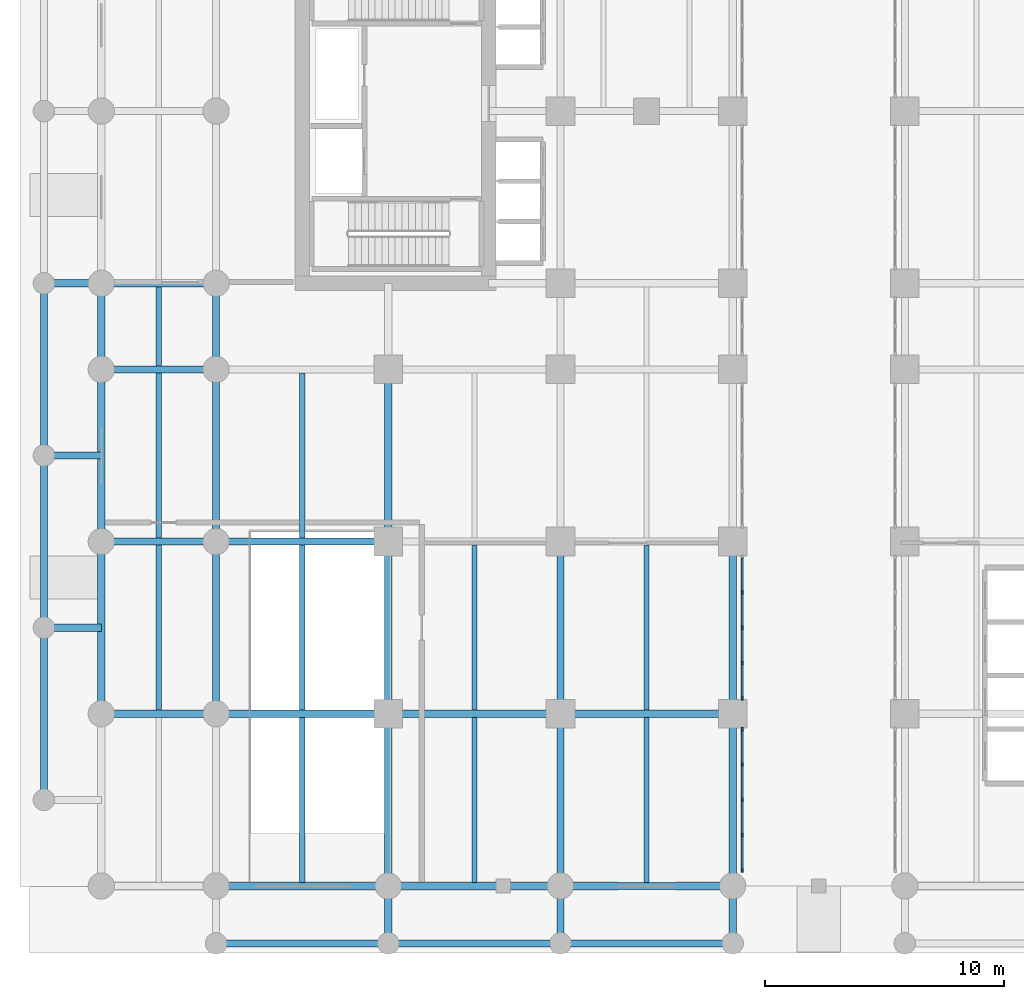
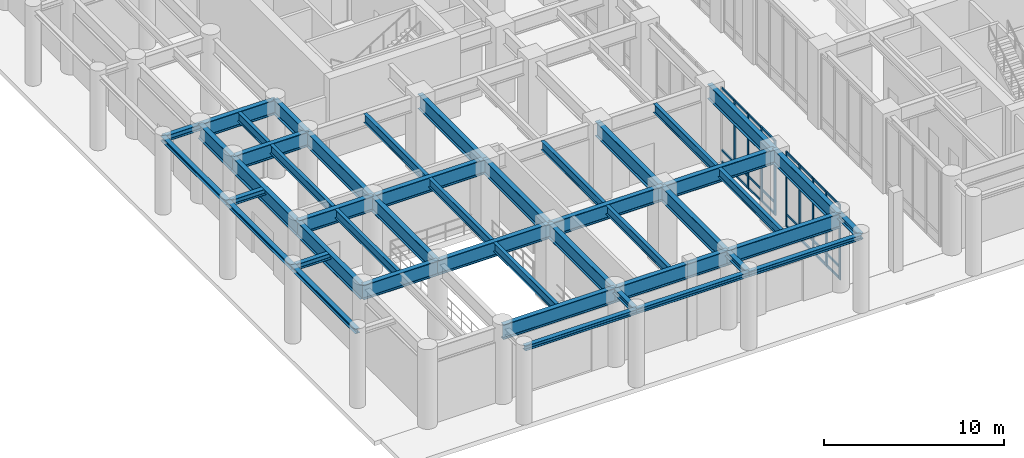
# One storey, part 2 of 23: 46 beams, 33 members, 2 elements without a shape of their own.
"""IFC4 building model written with IfcOpenShell, lengths in metres."""

from ifc_helpers import new_model, si_unit, derived_unit, direction, frame, origin, origin_2d, place, context, subcontext, project, spatial, rectangle, i_section, extrude, source, transform, mapped, material, layer, layer_set, material_profile, profile_set, type_object, type_shapes, element, aggregate, save


model = new_model("IFC4")

# Units and contexts
model_context = context("Model", 3, precision=1e-05, world=origin(), true_north=direction((0.0, 1.0)))
body_context = subcontext(model_context, "Body", "Model", "MODEL_VIEW")
ifc_project = project(units=[si_unit("LENGTHUNIT", "METRE"), si_unit("AREAUNIT", "SQUARE_METRE"), si_unit("VOLUMEUNIT", "CUBIC_METRE"), si_unit("PLANEANGLEUNIT", "RADIAN"), si_unit("MASSUNIT", "GRAM", prefix="KILO"), si_unit("THERMODYNAMICTEMPERATUREUNIT", "KELVIN"), si_unit("POWERUNIT", "WATT"), derived_unit("THERMALTRANSMITTANCEUNIT", [(si_unit("POWERUNIT", "WATT"), 1), (si_unit("AREAUNIT", "SQUARE_METRE"), -1), (si_unit("THERMODYNAMICTEMPERATUREUNIT", "KELVIN"), -1)])], contexts=[model_context])

# Site, building, storey
site_placement = place(None, origin())
site = spatial("IfcSite", under=ifc_project, at=site_placement, CompositionType="ELEMENT")
building_placement = place(site_placement, origin())
building = spatial("IfcBuilding", under=site, at=building_placement, Name="Zahravan Archway Hotel and Residences", CompositionType="ELEMENT")
storey_placement = place(building_placement, origin())
storey = spatial("IfcBuildingStorey", under=building, at=storey_placement, Name="L00", CompositionType="ELEMENT", Elevation=0.0)

# Beams
ifc_material_1 = material(Name="Structural Steel S355J2", Category="steel")
ifc_material_profile_1 = material_profile(ifc_material_1, i_section(OverallWidth=0.300048828125, OverallDepth=1.0, WebThickness=0.01904296875, FlangeThickness=0.035888671875, FilletRadius=0.030029296875, at=origin_2d()), Name="HEB 1000", Category="steel")
ifc_profile_set_1 = profile_set([ifc_material_profile_1], Name="Structural Steel S355J2")
beam_type_1 = type_object("IfcBeamType", Name="BM-PRI-HEB1000", PredefinedType="BEAM", material=ifc_profile_set_1)
shared_shape_1 = source(origin(), body_context, "Body", "SweptSolid", [
    extrude(i_section(OverallWidth=0.300048828125, OverallDepth=1.0, WebThickness=0.01904296875, FlangeThickness=0.035888671875, FilletRadius=0.030029296875, at=origin_2d()), origin(), (0.0, 0.0, 1.0), 4.800048828125),
])
type_shapes(beam_type_1, [shared_shape_1])
for number, where, z_axis, x_axis, name in (
    (1, (-4.800048828125, 7.199951171875, 4.60009765625), (1.0, 0.0, 0.0), (0.0, 1.0, 0.0), "L00 Primary Girder EW-11"),
    (2, (-4.800048828125, 14.39990234375, 4.60009765625), (1.0, 0.0, 0.0), (0.0, 1.0, 0.0), "L00 Primary Girder EW-19"),
    (3, (-4.800048828125, 21.60009765625, 4.60009765625), (1.0, 0.0, 0.0), (0.0, 1.0, 0.0), "L00 Primary Girder EW-27"),
    (4, (-4.800048828125, 25.199951171875, 4.60009765625), (1.0, 0.0, 0.0), (0.0, 1.0, 0.0), "L00 Primary Girder EW-37"),
):
    element("IfcBeam", number, at=place(storey_placement, frame(where, z_axis=z_axis, x_axis=x_axis)), inside=storey, type_object=beam_type_1, Name=name, PredefinedType="BEAM", context=body_context, shape_type="MappedRepresentation", body=[
        mapped(shared_shape_1, transform((0.0, 0.0, 0.0), scale=1.0)),
    ])
shared_shape_2 = source(origin(), body_context, "Body", "SweptSolid", [
    extrude(i_section(OverallWidth=0.300048828125, OverallDepth=1.0, WebThickness=0.01904296875, FlangeThickness=0.035888671875, FilletRadius=0.030029296875, at=origin_2d()), origin(), (0.0, 0.0, 1.0), 7.199951171875),
])
for number, where, z_axis, x_axis, name in (
    (5, (0.0, 0.0, 4.60009765625), (1.0, 0.0, 0.0), (0.0, 1.0, 0.0), "L00 Primary Girder EW-02"),
    (6, (7.199951171875, 0.0, 4.60009765625), (1.0, 0.0, 0.0), (0.0, 1.0, 0.0), "L00 Primary Girder EW-03"),
    (7, (0.0, 7.199951171875, 4.60009765625), (1.0, 0.0, 0.0), (0.0, 1.0, 0.0), "L00 Primary Girder EW-12"),
    (8, (7.199951171875, 7.199951171875, 4.60009765625), (1.0, 0.0, 0.0), (0.0, 1.0, 0.0), "L00 Primary Girder EW-13"),
    (9, (0.0, 14.39990234375, 4.60009765625), (1.0, 0.0, 0.0), (0.0, 1.0, 0.0), "L00 Primary Girder EW-20"),
    (10, (-4.800048828125, 7.199951171875, 4.60009765625), (0.0, 1.0, 0.0), (-1.0, 0.0, 0.0), "L00 Primary Girder NS-63"),
    (11, (0.0, 7.199951171875, 4.60009765625), (0.0, 1.0, 0.0), (-1.0, 0.0, 0.0), "L00 Primary Girder NS-70"),
    (12, (7.199951171875, 0.0, 4.60009765625), (0.0, 1.0, 0.0), (-1.0, 0.0, 0.0), "L00 Primary Girder NS-76"),
    (13, (7.199951171875, 7.199951171875, 4.60009765625), (0.0, 1.0, 0.0), (-1.0, 0.0, 0.0), "L00 Primary Girder NS-77"),
    (14, (14.39990234375, 0.0, 4.60009765625), (0.0, 1.0, 0.0), (-1.0, 0.0, 0.0), "L00 Primary Girder NS-81"),
    (15, (14.39990234375, 7.199951171875, 4.60009765625), (0.0, 1.0, 0.0), (-1.0, 0.0, 0.0), "L00 Primary Girder NS-82"),
    (16, (21.60009765625, 0.0, 4.60009765625), (0.0, 1.0, 0.0), (-1.0, 0.0, 0.0), "L00 Primary Girder NS-88"),
    (17, (21.60009765625, 7.199951171875, 4.60009765625), (0.0, 1.0, 0.0), (-1.0, 0.0, 0.0), "L00 Primary Girder NS-89"),
):
    element("IfcBeam", number, at=place(storey_placement, frame(where, z_axis=z_axis, x_axis=x_axis)), inside=storey, type_object=beam_type_1, Name=name, PredefinedType="BEAM", context=body_context, shape_type="MappedRepresentation", body=[
        mapped(shared_shape_2, transform((0.0, 0.0, 0.0), scale=1.0)),
    ])
shared_shape_3 = source(origin(), body_context, "Body", "SweptSolid", [
    extrude(i_section(OverallWidth=0.300048828125, OverallDepth=1.0, WebThickness=0.01904296875, FlangeThickness=0.035888671875, FilletRadius=0.030029296875, at=origin_2d()), origin(), (0.0, 0.0, 1.0), 7.2001953125),
])
for number, where, z_axis, x_axis, name in (
    (18, (14.39990234375, 0.0, 4.60009765625), (1.0, 0.0, 0.0), (0.0, 1.0, 0.0), "L00 Primary Girder EW-04"),
    (19, (14.39990234375, 7.199951171875, 4.60009765625), (1.0, 0.0, 0.0), (0.0, 1.0, 0.0), "L00 Primary Girder EW-14"),
    (20, (-4.800048828125, 14.39990234375, 4.60009765625), (0.0, 1.0, 0.0), (-1.0, 0.0, 0.0), "L00 Primary Girder NS-64"),
    (21, (0.0, 14.39990234375, 4.60009765625), (0.0, 1.0, 0.0), (-1.0, 0.0, 0.0), "L00 Primary Girder NS-71"),
    (22, (7.199951171875, 14.39990234375, 4.60009765625), (0.0, 1.0, 0.0), (-1.0, 0.0, 0.0), "L00 Primary Girder NS-78"),
):
    element("IfcBeam", number, at=place(storey_placement, frame(where, z_axis=z_axis, x_axis=x_axis)), inside=storey, type_object=beam_type_1, Name=name, PredefinedType="BEAM", context=body_context, shape_type="MappedRepresentation", body=[
        mapped(shared_shape_3, transform((0.0, 0.0, 0.0), scale=1.0)),
    ])
shared_shape_4 = source(origin(), body_context, "Body", "SweptSolid", [
    extrude(i_section(OverallWidth=0.300048828125, OverallDepth=1.0, WebThickness=0.01904296875, FlangeThickness=0.035888671875, FilletRadius=0.030029296875, at=origin_2d()), origin(), (0.0, 0.0, 1.0), 3.599853515625),
])
for number, where, z_axis, x_axis, name in (
    (23, (-4.800048828125, 21.60009765625, 4.60009765625), (0.0, 1.0, 0.0), (-1.0, 0.0, 0.0), "L00 Primary Girder NS-65"),
    (24, (0.0, 21.60009765625, 4.60009765625), (0.0, 1.0, 0.0), (-1.0, 0.0, 0.0), "L00 Primary Girder NS-72"),
):
    element("IfcBeam", number, at=place(storey_placement, frame(where, z_axis=z_axis, x_axis=x_axis)), inside=storey, type_object=beam_type_1, Name=name, PredefinedType="BEAM", context=body_context, shape_type="MappedRepresentation", body=[
        mapped(shared_shape_4, transform((0.0, 0.0, 0.0), scale=1.0)),
    ])
ifc_material_2 = material(Name="Structural Steel S355JR", Category="steel")
ifc_material_profile_2 = material_profile(ifc_material_2, i_section(OverallWidth=0.219970703125, OverallDepth=0.60009765625, WebThickness=0.011962890625, FlangeThickness=0.01904296875, FilletRadius=0.02392578125, at=origin_2d()), Name="IPE 600", Category="steel")
ifc_profile_set_2 = profile_set([ifc_material_profile_2], Name="Structural Steel S355JR")
beam_type_2 = type_object("IfcBeamType", Name="BM-JST-IPE600", PredefinedType="JOIST", material=ifc_profile_set_2)
shared_shape_5 = source(origin(), body_context, "Body", "SweptSolid", [
    extrude(i_section(OverallWidth=0.219970703125, OverallDepth=0.60009765625, WebThickness=0.011962890625, FlangeThickness=0.01904296875, FilletRadius=0.02392578125, at=origin_2d()), origin(), (0.0, 0.0, 1.0), 6.904052734375),
])
type_shapes(beam_type_2, [shared_shape_5])
for number, where, z_axis, x_axis, name in (
    (25, (3.60009765625, 0.14794921875, 4.800048828125), (0.0, 1.0, 0.0), (-1.0, 0.0, 0.0), "L00 Composite Floor Joist 02"),
    (26, (10.800048828125, 0.14794921875, 4.800048828125), (0.0, 1.0, 0.0), (-1.0, 0.0, 0.0), "L00 Composite Floor Joist 03"),
    (27, (18.0, 0.14794921875, 4.800048828125), (0.0, 1.0, 0.0), (-1.0, 0.0, 0.0), "L00 Composite Floor Joist 04"),
    (28, (-2.39990234375, 7.347900390625, 4.800048828125), (0.0, 1.0, 0.0), (-1.0, 0.0, 0.0), "L00 Composite Floor Joist 09"),
    (29, (3.60009765625, 7.347900390625, 4.800048828125), (0.0, 1.0, 0.0), (-1.0, 0.0, 0.0), "L00 Composite Floor Joist 10"),
    (30, (10.800048828125, 7.347900390625, 4.800048828125), (0.0, 1.0, 0.0), (-1.0, 0.0, 0.0), "L00 Composite Floor Joist 11"),
    (31, (18.0, 7.347900390625, 4.800048828125), (0.0, 1.0, 0.0), (-1.0, 0.0, 0.0), "L00 Composite Floor Joist 12"),
):
    element("IfcBeam", number, at=place(storey_placement, frame(where, z_axis=z_axis, x_axis=x_axis)), inside=storey, type_object=beam_type_2, Name=name, PredefinedType="JOIST", context=body_context, shape_type="MappedRepresentation", body=[
        mapped(shared_shape_5, transform((0.0, 0.0, 0.0), scale=1.0)),
    ])
shared_shape_6 = source(origin(), body_context, "Body", "SweptSolid", [
    extrude(i_section(OverallWidth=0.219970703125, OverallDepth=0.60009765625, WebThickness=0.011962890625, FlangeThickness=0.01904296875, FilletRadius=0.02392578125, at=origin_2d()), origin(), (0.0, 0.0, 1.0), 6.90380859375),
])
for number, where, z_axis, x_axis, name in (
    (32, (-2.39990234375, 14.548095703125, 4.800048828125), (0.0, 1.0, 0.0), (-1.0, 0.0, 0.0), "L00 Composite Floor Joist 17"),
    (33, (3.60009765625, 14.548095703125, 4.800048828125), (0.0, 1.0, 0.0), (-1.0, 0.0, 0.0), "L00 Composite Floor Joist 18"),
):
    element("IfcBeam", number, at=place(storey_placement, frame(where, z_axis=z_axis, x_axis=x_axis)), inside=storey, type_object=beam_type_2, Name=name, PredefinedType="JOIST", context=body_context, shape_type="MappedRepresentation", body=[
        mapped(shared_shape_6, transform((0.0, 0.0, 0.0), scale=1.0)),
    ])
shared_shape_7 = source(origin(), body_context, "Body", "SweptSolid", [
    extrude(i_section(OverallWidth=0.219970703125, OverallDepth=0.60009765625, WebThickness=0.011962890625, FlangeThickness=0.01904296875, FilletRadius=0.02392578125, at=origin_2d()), origin(), (0.0, 0.0, 1.0), 3.303955078125),
])
beam_1_placement = place(storey_placement, frame((-2.39990234375, 21.748046875, 4.800048828125), z_axis=(0.0, 1.0, 0.0), x_axis=(-1.0, 0.0, 0.0)))
element("IfcBeam", 34, at=beam_1_placement, inside=storey, type_object=beam_type_2, Name="L00 Composite Floor Joist 25", PredefinedType="JOIST", context=body_context, shape_type="MappedRepresentation", body=[
    mapped(shared_shape_7, transform((0.0, 0.0, 0.0), scale=1.0)),
])
ifc_material_profile_3 = material_profile(ifc_material_2, i_section(OverallWidth=0.300048828125, OverallDepth=0.39990234375, WebThickness=0.013427734375, FlangeThickness=0.02392578125, FilletRadius=0.027099609375, at=origin_2d()), Name="HEB 400", Category="steel")
ifc_profile_set_3 = profile_set([ifc_material_profile_3], Name="Structural Steel S355JR")
beam_type_3 = type_object("IfcBeamType", Name="BM-PRI-HEB400", PredefinedType="BEAM", material=ifc_profile_set_3)
shared_shape_8 = source(origin(), body_context, "Body", "SweptSolid", [
    extrude(i_section(OverallWidth=0.300048828125, OverallDepth=0.39990234375, WebThickness=0.013427734375, FlangeThickness=0.02392578125, FilletRadius=0.027099609375, at=origin_2d()), origin(), (0.0, 0.0, 1.0), 2.39990234375),
])
for number, where, z_axis, x_axis, name in (
    (35, (-7.199951171875, 10.800048828125, 4.89990234375), (1.0, 0.0, 0.0), (0.0, 1.0, 0.0), "L00 West Colonnade Tie Girder 2"),
    (36, (-7.199951171875, 18.0, 4.89990234375), (1.0, 0.0, 0.0), (0.0, 1.0, 0.0), "L00 West Colonnade Tie Girder 3"),
    (37, (-7.199951171875, 25.199951171875, 4.89990234375), (1.0, 0.0, 0.0), (0.0, 1.0, 0.0), "L00 West Colonnade Tie Girder 4"),
    (38, (7.199951171875, -2.39990234375, 4.89990234375), (0.0, 1.0, 0.0), (-1.0, 0.0, 0.0), "L00 South Colonnade Tie Girder 2"),
    (39, (14.39990234375, -2.39990234375, 4.89990234375), (0.0, 1.0, 0.0), (-1.0, 0.0, 0.0), "L00 South Colonnade Tie Girder 3"),
    (40, (21.60009765625, -2.39990234375, 4.89990234375), (0.0, 1.0, 0.0), (-1.0, 0.0, 0.0), "L00 South Colonnade Tie Girder 4"),
):
    element("IfcBeam", number, at=place(storey_placement, frame(where, z_axis=z_axis, x_axis=x_axis)), inside=storey, type_object=beam_type_3, Name=name, PredefinedType="BEAM", context=body_context, shape_type="MappedRepresentation", body=[
        mapped(shared_shape_8, transform((0.0, 0.0, 0.0), scale=1.0)),
    ])
ifc_material_profile_4 = material_profile(ifc_material_2, i_section(OverallWidth=0.300048828125, OverallDepth=0.320068359375, WebThickness=0.011474609375, FlangeThickness=0.0205078125, FilletRadius=0.027099609375, at=origin_2d()), Name="HEB 320", Category="steel")
ifc_profile_set_4 = profile_set([ifc_material_profile_4], Name="Structural Steel S355JR")
beam_type_4 = type_object("IfcBeamType", Name="BM-SPN-HEB320", PredefinedType="SPANDREL", material=ifc_profile_set_4)
shared_shape_9 = source(origin(), body_context, "Body", "SweptSolid", [
    extrude(i_section(OverallWidth=0.300048828125, OverallDepth=0.320068359375, WebThickness=0.011474609375, FlangeThickness=0.0205078125, FilletRadius=0.027099609375, at=origin_2d()), origin(), (0.0, 0.0, 1.0), 7.199951171875),
])
type_shapes(beam_type_4, [shared_shape_9])
for number, where, z_axis, x_axis, name in (
    (41, (-7.199951171875, 3.60009765625, 4.93994140625), (0.0, 1.0, 0.0), (-1.0, 0.0, 0.0), "L00 West Colonnade Spandrel 1"),
    (42, (-7.199951171875, 10.800048828125, 4.93994140625), (0.0, 1.0, 0.0), (-1.0, 0.0, 0.0), "L00 West Colonnade Spandrel 2"),
    (43, (-7.199951171875, 18.0, 4.93994140625), (0.0, 1.0, 0.0), (-1.0, 0.0, 0.0), "L00 West Colonnade Spandrel 3"),
    (44, (0.0, -2.39990234375, 4.93994140625), (1.0, 0.0, 0.0), (0.0, 1.0, 0.0), "L00 South Colonnade Spandrel 1"),
    (45, (7.199951171875, -2.39990234375, 4.93994140625), (1.0, 0.0, 0.0), (0.0, 1.0, 0.0), "L00 South Colonnade Spandrel 2"),
):
    element("IfcBeam", number, at=place(storey_placement, frame(where, z_axis=z_axis, x_axis=x_axis)), inside=storey, type_object=beam_type_4, Name=name, PredefinedType="SPANDREL", context=body_context, shape_type="MappedRepresentation", body=[
        mapped(shared_shape_9, transform((0.0, 0.0, 0.0), scale=1.0)),
    ])
shared_shape_10 = source(origin(), body_context, "Body", "SweptSolid", [
    extrude(i_section(OverallWidth=0.300048828125, OverallDepth=0.320068359375, WebThickness=0.011474609375, FlangeThickness=0.0205078125, FilletRadius=0.027099609375, at=origin_2d()), origin(), (0.0, 0.0, 1.0), 7.2001953125),
])
beam_2_placement = place(storey_placement, frame((14.39990234375, -2.39990234375, 4.93994140625), z_axis=(1.0, 0.0, 0.0), x_axis=(0.0, 1.0, 0.0)))
element("IfcBeam", 46, at=beam_2_placement, inside=storey, type_object=beam_type_4, Name="L00 South Colonnade Spandrel 3", PredefinedType="SPANDREL", context=body_context, shape_type="MappedRepresentation", body=[
    mapped(shared_shape_10, transform((0.0, 0.0, 0.0), scale=1.0)),
])

# Curtain wall, members
ifc_material_3 = material(Name="Bronze-Anodized Unitised Aluminium & Low-E Glass", Category="aluminium")
ifc_layer = layer(ifc_material_3, 0.179931640625, Name="Bronze-Anodized Unitised Aluminium & Low-E Glass", Category="aluminium")
ifc_layer_set = layer_set([ifc_layer], Name="Bronze-Anodized Unitised Aluminium & Low-E Glass")
curtain_wall_type = type_object("IfcCurtainWallType", Name="CW-POD-ARCH", PredefinedType="NOTDEFINED", material=ifc_layer_set)
curtain_wall_1_placement = place(storey_placement, origin())
curtain_wall_1 = element("IfcCurtainWall", 47, at=curtain_wall_1_placement, inside=storey, type_object=curtain_wall_type, Name="L00 Curtain Wall CW-PORTW-L00-1", PredefinedType="NOTDEFINED")
ifc_material_4 = material(Name="Bronze-Anodized Extruded Aluminium", Category="aluminium")
ifc_material_profile_5 = material_profile(ifc_material_4, rectangle(XDim=0.080078125, YDim=0.159912109375, at=origin_2d()), Name="MUL 80x160", Category="aluminium")
ifc_profile_set_5 = profile_set([ifc_material_profile_5], Name="Bronze-Anodized Extruded Aluminium")
member_type_1 = type_object("IfcMemberType", Name="CWM-MUL-160", PredefinedType="MULLION", material=ifc_profile_set_5)
shared_shape_11 = source(origin(), body_context, "Body", "SweptSolid", [
    extrude(rectangle(XDim=0.080078125, YDim=0.159912109375, at=origin_2d()), origin(), (0.0, 0.0, 1.0), 5.10009765625),
])
member_1_placement = place(storey_placement, frame((22.0, 0.645263671875, 0.0), z_axis=(0.0, 0.0, 1.0), x_axis=(1.0, 0.0, 0.0)))
member_1 = element("IfcMember", 48, at=member_1_placement, type_object=member_type_1, Name="CW-PORTW-L00-1 Mullion 0", PredefinedType="MULLION", context=body_context, shape_type="MappedRepresentation", body=[
    mapped(shared_shape_11, transform((0.0, 0.0, 0.0), scale=1.0)),
])
member_2_placement = place(storey_placement, frame((22.0, 2.12255859375, 0.0), z_axis=(0.0, 0.0, 1.0), x_axis=(1.0, 0.0, 0.0)))
member_2 = element("IfcMember", 49, at=member_2_placement, type_object=member_type_1, Name="CW-PORTW-L00-1 Mullion 1", PredefinedType="MULLION", context=body_context, shape_type="MappedRepresentation", body=[
    mapped(shared_shape_11, transform((0.0, 0.0, 0.0), scale=1.0)),
])
member_3_placement = place(storey_placement, frame((22.0, 3.60009765625, 0.0), z_axis=(0.0, 0.0, 1.0), x_axis=(1.0, 0.0, 0.0)))
member_3 = element("IfcMember", 50, at=member_3_placement, type_object=member_type_1, Name="CW-PORTW-L00-1 Mullion 2", PredefinedType="MULLION", context=body_context, shape_type="MappedRepresentation", body=[
    mapped(shared_shape_11, transform((0.0, 0.0, 0.0), scale=1.0)),
])
member_4_placement = place(storey_placement, frame((22.0, 5.077392578125, 0.0), z_axis=(0.0, 0.0, 1.0), x_axis=(1.0, 0.0, 0.0)))
member_4 = element("IfcMember", 51, at=member_4_placement, type_object=member_type_1, Name="CW-PORTW-L00-1 Mullion 3", PredefinedType="MULLION", context=body_context, shape_type="MappedRepresentation", body=[
    mapped(shared_shape_11, transform((0.0, 0.0, 0.0), scale=1.0)),
])
member_5_placement = place(storey_placement, frame((22.0, 6.5546875, 0.0), z_axis=(0.0, 0.0, 1.0), x_axis=(1.0, 0.0, 0.0)))
member_5 = element("IfcMember", 52, at=member_5_placement, type_object=member_type_1, Name="CW-PORTW-L00-1 Mullion 4", PredefinedType="MULLION", context=body_context, shape_type="MappedRepresentation", body=[
    mapped(shared_shape_11, transform((0.0, 0.0, 0.0), scale=1.0)),
])

curtain_wall_2_placement = place(storey_placement, origin())
curtain_wall_2 = element("IfcCurtainWall", 53, at=curtain_wall_2_placement, inside=storey, type_object=curtain_wall_type, Name="L00 Curtain Wall CW-PORTW-L00-2", PredefinedType="NOTDEFINED")
member_6_placement = place(storey_placement, frame((22.0, 7.84521484375, 0.0), z_axis=(0.0, 0.0, 1.0), x_axis=(1.0, 0.0, 0.0)))
member_6 = element("IfcMember", 54, at=member_6_placement, type_object=member_type_1, Name="CW-PORTW-L00-2 Mullion 0", PredefinedType="MULLION", context=body_context, shape_type="MappedRepresentation", body=[
    mapped(shared_shape_11, transform((0.0, 0.0, 0.0), scale=1.0)),
])
member_7_placement = place(storey_placement, frame((22.0, 9.322509765625, 0.0), z_axis=(0.0, 0.0, 1.0), x_axis=(1.0, 0.0, 0.0)))
member_7 = element("IfcMember", 55, at=member_7_placement, type_object=member_type_1, Name="CW-PORTW-L00-2 Mullion 1", PredefinedType="MULLION", context=body_context, shape_type="MappedRepresentation", body=[
    mapped(shared_shape_11, transform((0.0, 0.0, 0.0), scale=1.0)),
])
member_8_placement = place(storey_placement, frame((22.0, 10.800048828125, 0.0), z_axis=(0.0, 0.0, 1.0), x_axis=(1.0, 0.0, 0.0)))
member_8 = element("IfcMember", 56, at=member_8_placement, type_object=member_type_1, Name="CW-PORTW-L00-2 Mullion 2", PredefinedType="MULLION", context=body_context, shape_type="MappedRepresentation", body=[
    mapped(shared_shape_11, transform((0.0, 0.0, 0.0), scale=1.0)),
])
member_9_placement = place(storey_placement, frame((22.0, 12.27734375, 0.0), z_axis=(0.0, 0.0, 1.0), x_axis=(1.0, 0.0, 0.0)))
member_9 = element("IfcMember", 57, at=member_9_placement, type_object=member_type_1, Name="CW-PORTW-L00-2 Mullion 3", PredefinedType="MULLION", context=body_context, shape_type="MappedRepresentation", body=[
    mapped(shared_shape_11, transform((0.0, 0.0, 0.0), scale=1.0)),
])

# Member
ifc_material_profile_6 = material_profile(ifc_material_4, rectangle(XDim=0.080078125, YDim=0.139892578125, at=origin_2d()), Name="TRN 80x140", Category="aluminium")
ifc_profile_set_6 = profile_set([ifc_material_profile_6], Name="Bronze-Anodized Extruded Aluminium")
member_type_2 = type_object("IfcMemberType", Name="CWM-TRN-140", PredefinedType="USERDEFINED", material=ifc_profile_set_6)
shared_shape_12 = source(origin(), body_context, "Body", "SweptSolid", [
    extrude(rectangle(XDim=0.080078125, YDim=0.139892578125, at=origin_2d()), origin(), (0.0, 0.0, 1.0), 1.397216796875),
])
member_10_placement = place(storey_placement, frame((22.0, 0.685302734375, 0.070068359375), z_axis=(0.0, 1.0, 0.0), x_axis=(-1.0, 0.0, 0.0)))
member_10 = element("IfcMember", 58, at=member_10_placement, type_object=member_type_2, Name="CW-PORTW-L00-1 Transom 0-1", ObjectType="TRANSOM", PredefinedType="USERDEFINED", context=body_context, shape_type="MappedRepresentation", body=[
    mapped(shared_shape_12, transform((0.0, 0.0, 0.0), scale=1.0)),
])

member_11_placement = place(storey_placement, frame((22.0, 0.685302734375, 0.85009765625), z_axis=(0.0, 1.0, 0.0), x_axis=(-1.0, 0.0, 0.0)))
member_11 = element("IfcMember", 59, at=member_11_placement, type_object=member_type_2, Name="CW-PORTW-L00-1 Transom 0-2", ObjectType="TRANSOM", PredefinedType="USERDEFINED", context=body_context, shape_type="MappedRepresentation", body=[
    mapped(shared_shape_12, transform((0.0, 0.0, 0.0), scale=1.0)),
])

member_12_placement = place(storey_placement, frame((22.0, 0.685302734375, 5.030029296875), z_axis=(0.0, 1.0, 0.0), x_axis=(-1.0, 0.0, 0.0)))
member_12 = element("IfcMember", 60, at=member_12_placement, type_object=member_type_2, Name="CW-PORTW-L00-1 Transom 0-3", ObjectType="TRANSOM", PredefinedType="USERDEFINED", context=body_context, shape_type="MappedRepresentation", body=[
    mapped(shared_shape_12, transform((0.0, 0.0, 0.0), scale=1.0)),
])

member_13_placement = place(storey_placement, frame((22.0, 10.840087890625, 0.070068359375), z_axis=(0.0, 1.0, 0.0), x_axis=(-1.0, 0.0, 0.0)))
member_13 = element("IfcMember", 61, at=member_13_placement, type_object=member_type_2, Name="CW-PORTW-L00-2 Transom 2-1", ObjectType="TRANSOM", PredefinedType="USERDEFINED", context=body_context, shape_type="MappedRepresentation", body=[
    mapped(shared_shape_12, transform((0.0, 0.0, 0.0), scale=1.0)),
])

member_14_placement = place(storey_placement, frame((22.0, 10.840087890625, 0.85009765625), z_axis=(0.0, 1.0, 0.0), x_axis=(-1.0, 0.0, 0.0)))
member_14 = element("IfcMember", 62, at=member_14_placement, type_object=member_type_2, Name="CW-PORTW-L00-2 Transom 2-2", ObjectType="TRANSOM", PredefinedType="USERDEFINED", context=body_context, shape_type="MappedRepresentation", body=[
    mapped(shared_shape_12, transform((0.0, 0.0, 0.0), scale=1.0)),
])

member_15_placement = place(storey_placement, frame((22.0, 10.840087890625, 5.030029296875), z_axis=(0.0, 1.0, 0.0), x_axis=(-1.0, 0.0, 0.0)))
member_15 = element("IfcMember", 63, at=member_15_placement, type_object=member_type_2, Name="CW-PORTW-L00-2 Transom 2-3", ObjectType="TRANSOM", PredefinedType="USERDEFINED", context=body_context, shape_type="MappedRepresentation", body=[
    mapped(shared_shape_12, transform((0.0, 0.0, 0.0), scale=1.0)),
])

shared_shape_13 = source(origin(), body_context, "Body", "SweptSolid", [
    extrude(rectangle(XDim=0.080078125, YDim=0.139892578125, at=origin_2d()), origin(), (0.0, 0.0, 1.0), 1.3974609375),
])
member_16_placement = place(storey_placement, frame((22.0, 2.16259765625, 0.070068359375), z_axis=(0.0, 1.0, 0.0), x_axis=(-1.0, 0.0, 0.0)))
member_16 = element("IfcMember", 64, at=member_16_placement, type_object=member_type_2, Name="CW-PORTW-L00-1 Transom 1-1", ObjectType="TRANSOM", PredefinedType="USERDEFINED", context=body_context, shape_type="MappedRepresentation", body=[
    mapped(shared_shape_13, transform((0.0, 0.0, 0.0), scale=1.0)),
])

member_17_placement = place(storey_placement, frame((22.0, 2.16259765625, 0.85009765625), z_axis=(0.0, 1.0, 0.0), x_axis=(-1.0, 0.0, 0.0)))
member_17 = element("IfcMember", 65, at=member_17_placement, type_object=member_type_2, Name="CW-PORTW-L00-1 Transom 1-2", ObjectType="TRANSOM", PredefinedType="USERDEFINED", context=body_context, shape_type="MappedRepresentation", body=[
    mapped(shared_shape_13, transform((0.0, 0.0, 0.0), scale=1.0)),
])

member_18_placement = place(storey_placement, frame((22.0, 2.16259765625, 5.030029296875), z_axis=(0.0, 1.0, 0.0), x_axis=(-1.0, 0.0, 0.0)))
member_18 = element("IfcMember", 66, at=member_18_placement, type_object=member_type_2, Name="CW-PORTW-L00-1 Transom 1-3", ObjectType="TRANSOM", PredefinedType="USERDEFINED", context=body_context, shape_type="MappedRepresentation", body=[
    mapped(shared_shape_13, transform((0.0, 0.0, 0.0), scale=1.0)),
])

member_19_placement = place(storey_placement, frame((22.0, 3.639892578125, 0.070068359375), z_axis=(0.0, 1.0, 0.0), x_axis=(-1.0, 0.0, 0.0)))
member_19 = element("IfcMember", 67, at=member_19_placement, type_object=member_type_2, Name="CW-PORTW-L00-1 Transom 2-1", ObjectType="TRANSOM", PredefinedType="USERDEFINED", context=body_context, shape_type="MappedRepresentation", body=[
    mapped(shared_shape_13, transform((0.0, 0.0, 0.0), scale=1.0)),
])

member_20_placement = place(storey_placement, frame((22.0, 3.639892578125, 0.85009765625), z_axis=(0.0, 1.0, 0.0), x_axis=(-1.0, 0.0, 0.0)))
member_20 = element("IfcMember", 68, at=member_20_placement, type_object=member_type_2, Name="CW-PORTW-L00-1 Transom 2-2", ObjectType="TRANSOM", PredefinedType="USERDEFINED", context=body_context, shape_type="MappedRepresentation", body=[
    mapped(shared_shape_13, transform((0.0, 0.0, 0.0), scale=1.0)),
])

member_21_placement = place(storey_placement, frame((22.0, 3.639892578125, 5.030029296875), z_axis=(0.0, 1.0, 0.0), x_axis=(-1.0, 0.0, 0.0)))
member_21 = element("IfcMember", 69, at=member_21_placement, type_object=member_type_2, Name="CW-PORTW-L00-1 Transom 2-3", ObjectType="TRANSOM", PredefinedType="USERDEFINED", context=body_context, shape_type="MappedRepresentation", body=[
    mapped(shared_shape_13, transform((0.0, 0.0, 0.0), scale=1.0)),
])

member_22_placement = place(storey_placement, frame((22.0, 5.117431640625, 0.070068359375), z_axis=(0.0, 1.0, 0.0), x_axis=(-1.0, 0.0, 0.0)))
member_22 = element("IfcMember", 70, at=member_22_placement, type_object=member_type_2, Name="CW-PORTW-L00-1 Transom 3-1", ObjectType="TRANSOM", PredefinedType="USERDEFINED", context=body_context, shape_type="MappedRepresentation", body=[
    mapped(shared_shape_13, transform((0.0, 0.0, 0.0), scale=1.0)),
])

member_23_placement = place(storey_placement, frame((22.0, 5.117431640625, 0.85009765625), z_axis=(0.0, 1.0, 0.0), x_axis=(-1.0, 0.0, 0.0)))
member_23 = element("IfcMember", 71, at=member_23_placement, type_object=member_type_2, Name="CW-PORTW-L00-1 Transom 3-2", ObjectType="TRANSOM", PredefinedType="USERDEFINED", context=body_context, shape_type="MappedRepresentation", body=[
    mapped(shared_shape_13, transform((0.0, 0.0, 0.0), scale=1.0)),
])

member_24_placement = place(storey_placement, frame((22.0, 5.117431640625, 5.030029296875), z_axis=(0.0, 1.0, 0.0), x_axis=(-1.0, 0.0, 0.0)))
member_24 = element("IfcMember", 72, at=member_24_placement, type_object=member_type_2, Name="CW-PORTW-L00-1 Transom 3-3", ObjectType="TRANSOM", PredefinedType="USERDEFINED", context=body_context, shape_type="MappedRepresentation", body=[
    mapped(shared_shape_13, transform((0.0, 0.0, 0.0), scale=1.0)),
])

aggregate(curtain_wall_1, [member_1, member_2, member_3, member_4, member_5, member_10, member_11, member_12, member_16, member_17, member_18, member_19, member_20, member_21, member_22, member_23, member_24])

member_25_placement = place(storey_placement, frame((22.0, 7.88525390625, 0.070068359375), z_axis=(0.0, 1.0, 0.0), x_axis=(-1.0, 0.0, 0.0)))
member_25 = element("IfcMember", 73, at=member_25_placement, type_object=member_type_2, Name="CW-PORTW-L00-2 Transom 0-1", ObjectType="TRANSOM", PredefinedType="USERDEFINED", context=body_context, shape_type="MappedRepresentation", body=[
    mapped(shared_shape_13, transform((0.0, 0.0, 0.0), scale=1.0)),
])

member_26_placement = place(storey_placement, frame((22.0, 7.88525390625, 0.85009765625), z_axis=(0.0, 1.0, 0.0), x_axis=(-1.0, 0.0, 0.0)))
member_26 = element("IfcMember", 74, at=member_26_placement, type_object=member_type_2, Name="CW-PORTW-L00-2 Transom 0-2", ObjectType="TRANSOM", PredefinedType="USERDEFINED", context=body_context, shape_type="MappedRepresentation", body=[
    mapped(shared_shape_13, transform((0.0, 0.0, 0.0), scale=1.0)),
])

member_27_placement = place(storey_placement, frame((22.0, 7.88525390625, 5.030029296875), z_axis=(0.0, 1.0, 0.0), x_axis=(-1.0, 0.0, 0.0)))
member_27 = element("IfcMember", 75, at=member_27_placement, type_object=member_type_2, Name="CW-PORTW-L00-2 Transom 0-3", ObjectType="TRANSOM", PredefinedType="USERDEFINED", context=body_context, shape_type="MappedRepresentation", body=[
    mapped(shared_shape_13, transform((0.0, 0.0, 0.0), scale=1.0)),
])

member_28_placement = place(storey_placement, frame((22.0, 9.362548828125, 0.070068359375), z_axis=(0.0, 1.0, 0.0), x_axis=(-1.0, 0.0, 0.0)))
member_28 = element("IfcMember", 76, at=member_28_placement, type_object=member_type_2, Name="CW-PORTW-L00-2 Transom 1-1", ObjectType="TRANSOM", PredefinedType="USERDEFINED", context=body_context, shape_type="MappedRepresentation", body=[
    mapped(shared_shape_13, transform((0.0, 0.0, 0.0), scale=1.0)),
])

member_29_placement = place(storey_placement, frame((22.0, 9.362548828125, 0.85009765625), z_axis=(0.0, 1.0, 0.0), x_axis=(-1.0, 0.0, 0.0)))
member_29 = element("IfcMember", 77, at=member_29_placement, type_object=member_type_2, Name="CW-PORTW-L00-2 Transom 1-2", ObjectType="TRANSOM", PredefinedType="USERDEFINED", context=body_context, shape_type="MappedRepresentation", body=[
    mapped(shared_shape_13, transform((0.0, 0.0, 0.0), scale=1.0)),
])

member_30_placement = place(storey_placement, frame((22.0, 9.362548828125, 5.030029296875), z_axis=(0.0, 1.0, 0.0), x_axis=(-1.0, 0.0, 0.0)))
member_30 = element("IfcMember", 78, at=member_30_placement, type_object=member_type_2, Name="CW-PORTW-L00-2 Transom 1-3", ObjectType="TRANSOM", PredefinedType="USERDEFINED", context=body_context, shape_type="MappedRepresentation", body=[
    mapped(shared_shape_13, transform((0.0, 0.0, 0.0), scale=1.0)),
])

member_31_placement = place(storey_placement, frame((22.0, 12.3173828125, 0.070068359375), z_axis=(0.0, 1.0, 0.0), x_axis=(-1.0, 0.0, 0.0)))
member_31 = element("IfcMember", 79, at=member_31_placement, type_object=member_type_2, Name="CW-PORTW-L00-2 Transom 3-1", ObjectType="TRANSOM", PredefinedType="USERDEFINED", context=body_context, shape_type="MappedRepresentation", body=[
    mapped(shared_shape_13, transform((0.0, 0.0, 0.0), scale=1.0)),
])

member_32_placement = place(storey_placement, frame((22.0, 12.3173828125, 0.85009765625), z_axis=(0.0, 1.0, 0.0), x_axis=(-1.0, 0.0, 0.0)))
member_32 = element("IfcMember", 80, at=member_32_placement, type_object=member_type_2, Name="CW-PORTW-L00-2 Transom 3-2", ObjectType="TRANSOM", PredefinedType="USERDEFINED", context=body_context, shape_type="MappedRepresentation", body=[
    mapped(shared_shape_13, transform((0.0, 0.0, 0.0), scale=1.0)),
])

member_33_placement = place(storey_placement, frame((22.0, 12.3173828125, 5.030029296875), z_axis=(0.0, 1.0, 0.0), x_axis=(-1.0, 0.0, 0.0)))
member_33 = element("IfcMember", 81, at=member_33_placement, type_object=member_type_2, Name="CW-PORTW-L00-2 Transom 3-3", ObjectType="TRANSOM", PredefinedType="USERDEFINED", context=body_context, shape_type="MappedRepresentation", body=[
    mapped(shared_shape_13, transform((0.0, 0.0, 0.0), scale=1.0)),
])

aggregate(curtain_wall_2, [member_6, member_7, member_8, member_9, member_25, member_26, member_27, member_28, member_29, member_30, member_13, member_14, member_15, member_31, member_32, member_33])

save(model, "model.ifc")
